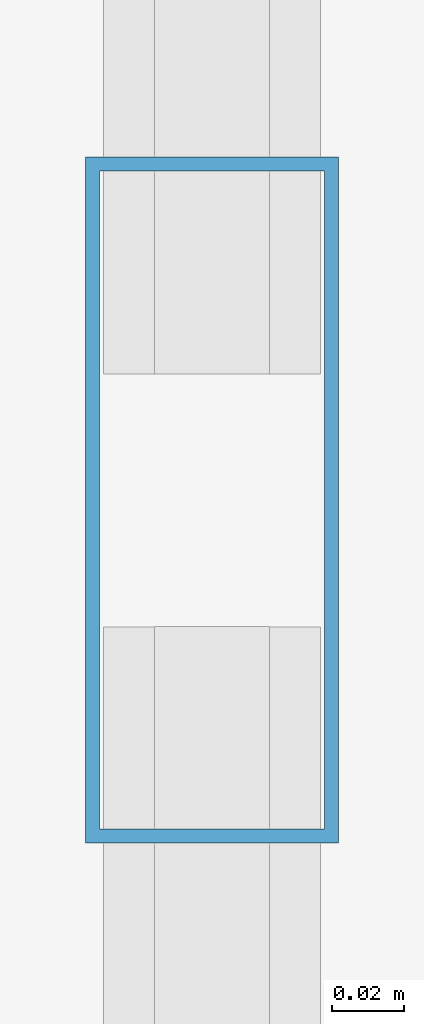
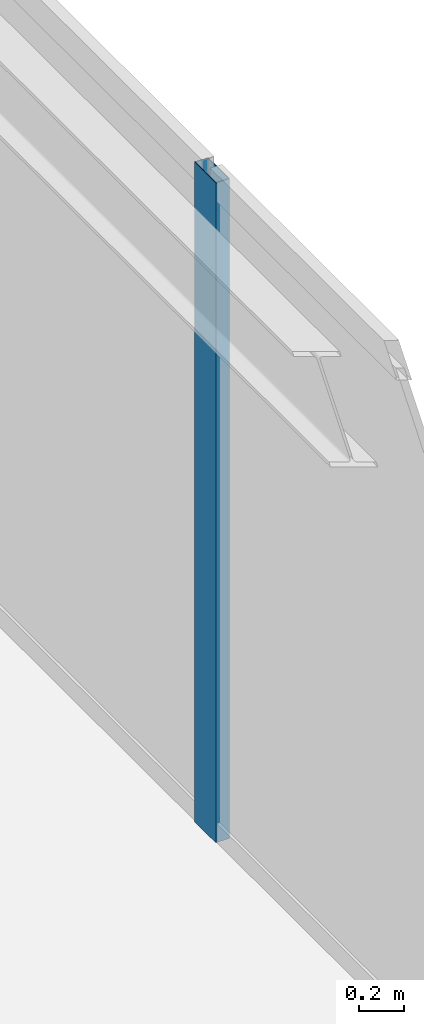
# One storey, part 18 of 30: 1 member, 1 element without a shape of its own.
"""IFC4 building model written with IfcOpenShell, lengths in metres."""

import ifcopenshell
import ifcopenshell.guid

model = None  # the IFC model being written
_history = None  # IfcOwnerHistory: only IFC2X3 demands one
_inside = {}  # id of a spatial element -> (the spatial element, [elements in it])
_under = {}  # id of a project, library or spatial element -> (it, [spatial elements below it])
_declared = {}  # id of a project -> (the project, [libraries it declares])
_typed = {}  # id of a type object -> (the type object, [elements of that type])
_made_of = {}  # id of a material, layer set ... -> (it, [elements and type objects made of it])


def new_model(schema):
    """Start an empty IFC model of exactly this schema.

    Asked for "IFC4X3", IfcOpenShell would pick the latest addendum, in which some entities
    have other attributes; the version numbers below select the first issue.
    IFC2X3 requires an IfcOwnerHistory on every rooted entity: one is made here for all.
    """
    global model, _history
    if schema == "IFC4X3":
        model = ifcopenshell.file(schema_version=(4, 3, 0, 0))
    else:
        model = ifcopenshell.file(schema=schema)
    _inside.clear()
    _under.clear()
    _declared.clear()
    _typed.clear()
    _made_of.clear()
    _history = None
    if model.schema == "IFC2X3":
        org = make("IfcOrganization", Name="unknown")
        user = make(
            "IfcPersonAndOrganization",
            ThePerson=make("IfcPerson", FamilyName="unknown"),
            TheOrganization=org,
        )
        app = make(
            "IfcApplication",
            ApplicationDeveloper=org,
            Version="unknown",
            ApplicationFullName="unknown",
            ApplicationIdentifier="unknown",
        )
        _history = make(
            "IfcOwnerHistory",
            OwningUser=user,
            OwningApplication=app,
            ChangeAction="ADDED",
            CreationDate=0,
        )
    return model


def make(cls, **values):
    """One entity of the class cls with the attributes given. An attribute that is None is left unset."""
    return model.create_entity(
        cls, **{name: value for name, value in values.items() if value is not None}
    )


def rooted(cls, **values):
    """An entity with a GlobalId (a new one), such as an element, a storey or a relation."""
    return make(cls, GlobalId=ifcopenshell.guid.new(), OwnerHistory=_history, **values)


def si_unit(unit_type, name, prefix=None):
    """IfcSIUnit, for example si_unit("LENGTHUNIT", "METRE", prefix="MILLI")."""
    return make("IfcSIUnit", UnitType=unit_type, Prefix=prefix, Name=name)


def assignment(units):
    """IfcUnitAssignment: the units of a project."""
    return None if units is None else make("IfcUnitAssignment", Units=units)


def point(xyz):
    """IfcCartesianPoint."""
    return None if xyz is None else make("IfcCartesianPoint", Coordinates=xyz)


def direction(xyz):
    """IfcDirection."""
    return None if xyz is None else make("IfcDirection", DirectionRatios=xyz)


def frame(location, z_axis=None, x_axis=None):
    """IfcAxis2Placement3D, a coordinate frame: its origin and axes. An axis left out is left unset."""
    return make(
        "IfcAxis2Placement3D",
        Location=point(location),
        Axis=direction(z_axis),
        RefDirection=direction(x_axis),
    )


def frame_2d(location, x_axis=None):
    """IfcAxis2Placement2D, a coordinate frame in the plane: its origin and x axis."""
    return make(
        "IfcAxis2Placement2D", Location=point(location), RefDirection=direction(x_axis)
    )


def origin():
    """The frame at (0, 0, 0) with its axes left unset."""
    return frame((0.0, 0.0, 0.0))


def origin_2d():
    """The frame at (0, 0) in the plane with its x axis left unset."""
    return frame_2d((0.0, 0.0))


def place(relative_to, where):
    """IfcLocalPlacement: puts the frame where relative to a parent placement (None: the world)."""
    return make(
        "IfcLocalPlacement", PlacementRelTo=relative_to, RelativePlacement=where
    )


def context(
    kind, dimensions, precision=None, world=None, true_north=None, identifier=None
):
    """IfcGeometricRepresentationContext, for example the 3D "Model" context."""
    return make(
        "IfcGeometricRepresentationContext",
        ContextIdentifier=identifier,
        ContextType=kind,
        CoordinateSpaceDimension=dimensions,
        Precision=precision,
        WorldCoordinateSystem=world,
        TrueNorth=true_north,
    )


def subcontext(parent, identifier, kind, view, scale=None):
    """IfcGeometricRepresentationSubContext, for example "Body" below "Model"."""
    return make(
        "IfcGeometricRepresentationSubContext",
        ContextIdentifier=identifier,
        ContextType=kind,
        ParentContext=parent,
        TargetScale=scale,
        TargetView=view,
    )


def project(units=None, contexts=None):
    """IfcProject with its units and contexts."""
    return rooted(
        "IfcProject",
        Name="project",
        RepresentationContexts=contexts,
        UnitsInContext=assignment(units),
    )


def spatial(cls, under=None, at=None, **own):
    """A site, building, storey or space (cls), placed at a placement, below another one or the project."""
    s = rooted(cls, ObjectPlacement=at, **own)
    if under is not None:
        _under.setdefault(under.id(), (under, []))[1].append(s)
    return s


def profile(cls, at=None, kind="AREA", **sizes):
    """A parametric profile (cls). Its sizes go by their IFC names, for example OverallWidth=200.0."""
    return make(cls, ProfileType=kind, Position=at, **sizes)


def hollow_rectangle(**sizes):
    """IfcRectangleHollowProfileDef."""
    return profile("IfcRectangleHollowProfileDef", **sizes)


def extrude(swept, where, along, depth):
    """IfcExtrudedAreaSolid: the profile swept, set in the frame where, extruded along a direction by depth."""
    return make(
        "IfcExtrudedAreaSolid",
        SweptArea=swept,
        Position=where,
        ExtrudedDirection=direction(along),
        Depth=depth,
    )


def shape(context_of_items, identifier, shape_type, items):
    """IfcShapeRepresentation: the items that make up one representation, for example the "Body"."""
    return make(
        "IfcShapeRepresentation",
        ContextOfItems=context_of_items,
        RepresentationIdentifier=identifier,
        RepresentationType=shape_type,
        Items=items,
    )


def source(mapping_origin, context_of_items, identifier, shape_type, items):
    """IfcRepresentationMap: a shape defined once, which mapped items show again and again."""
    return make(
        "IfcRepresentationMap",
        MappingOrigin=mapping_origin,
        MappedRepresentation=shape(context_of_items, identifier, shape_type, items),
    )


def transform(
    local_origin,
    x_axis=None,
    y_axis=None,
    z_axis=None,
    scale=None,
    scale2=None,
    scale3=None,
    uniform=True,
):
    """IfcCartesianTransformationOperator3D, or its non-uniform kind. x_axis, y_axis, z_axis: its Axis1, 2, 3."""
    if uniform:
        return make(
            "IfcCartesianTransformationOperator3D",
            Axis1=direction(x_axis),
            Axis2=direction(y_axis),
            LocalOrigin=point(local_origin),
            Scale=scale,
            Axis3=direction(z_axis),
        )
    return make(
        "IfcCartesianTransformationOperator3DnonUniform",
        Axis1=direction(x_axis),
        Axis2=direction(y_axis),
        LocalOrigin=point(local_origin),
        Scale=scale,
        Axis3=direction(z_axis),
        Scale2=scale2,
        Scale3=scale3,
    )


def mapped(mapping_source, mapping_target):
    """IfcMappedItem: shows the shape of a source again, moved by a transform."""
    return make(
        "IfcMappedItem", MappingSource=mapping_source, MappingTarget=mapping_target
    )


def material(Name=None, Category=None):
    """IfcMaterial."""
    return make("IfcMaterial", Name=Name, Category=Category)


def layer(
    of_material, thickness, ventilated=None, Name=None, Category=None, Priority=None
):
    """IfcMaterialLayer: one layer of a wall or slab, of a material (None: an air gap)."""
    return make(
        "IfcMaterialLayer",
        Material=of_material,
        LayerThickness=thickness,
        IsVentilated=ventilated,
        Name=Name,
        Category=Category,
        Priority=Priority,
    )


def layer_set(layers, Name=None):
    """IfcMaterialLayerSet."""
    return make("IfcMaterialLayerSet", MaterialLayers=layers, LayerSetName=Name)


def material_profile(
    of_material, cross_section, Name=None, Category=None, Priority=None
):
    """IfcMaterialProfile: a cross section and its material."""
    return make(
        "IfcMaterialProfile",
        Name=Name,
        Material=of_material,
        Profile=cross_section,
        Priority=Priority,
        Category=Category,
    )


def profile_set(profiles, Name=None, composite=None):
    """IfcMaterialProfileSet."""
    return make(
        "IfcMaterialProfileSet",
        Name=Name,
        MaterialProfiles=profiles,
        CompositeProfile=composite,
    )


def made_of(thing, what):
    """Note that an element or type object is made of a material, layer set ...; save() writes the relation."""
    if what is not None:
        _made_of.setdefault(what.id(), (what, []))[1].append(thing)
    return thing


def type_object(cls, material=None, **own):
    """A type object (cls), such as IfcWallType, which elements share."""
    return made_of(rooted(cls, **own), material)


def type_shapes(of_type, sources):
    """Give a type object the sources (RepresentationMaps) that its elements show as mapped items."""
    of_type.RepresentationMaps = sources


def element(
    cls,
    number,
    at=None,
    inside=None,
    cuts=None,
    type_object=None,
    material=None,
    context=None,
    identifier="Body",
    shape_type=None,
    held_by="IfcProductDefinitionShape",
    body=None,
    shapes=None,
    **own,
):
    """One element of the class cls, such as IfcWall. Its Tag is "e" and its number.

    at: its placement. inside: the storey or other place that contains it. cuts: it is an
    opening in that element (IfcRelVoidsElement). A single representation is given by context,
    identifier, shape_type and body (its items); several are given by shapes. held_by: the class
    of the entity that holds the representations. save() writes the other relations.
    """
    e = rooted(cls, Tag="e%d" % number, ObjectPlacement=at, **own)
    if body is not None:
        shapes = [shape(context, identifier, shape_type, body)]
    if shapes is not None:
        e.Representation = make(held_by, Representations=shapes)
    if inside is not None:
        _inside.setdefault(inside.id(), (inside, []))[1].append(e)
    if cuts is not None:
        rooted(
            "IfcRelVoidsElement", RelatingBuildingElement=cuts, RelatedOpeningElement=e
        )
    if type_object is not None:
        _typed.setdefault(type_object.id(), (type_object, []))[1].append(e)
    return made_of(e, material)


def aggregate(whole, parts):
    """IfcRelAggregates: a whole, such as a stair, and the parts it consists of."""
    return rooted("IfcRelAggregates", RelatingObject=whole, RelatedObjects=parts)


def save(model, path):
    """Write the relations noted so far, then the file.

    IfcRelAggregates (storeys below a building ...), IfcRelContainedInSpatialStructure (elements
    in a storey), IfcRelDefinesByType, IfcRelAssociatesMaterial and IfcRelDeclares: one each for
    every whole, place, type object, material and project.
    """
    for whole, parts in _under.values():
        aggregate(whole, parts)
    for where, things in _inside.values():
        rooted(
            "IfcRelContainedInSpatialStructure",
            RelatedElements=things,
            RelatingStructure=where,
        )
    for kind, things in _typed.values():
        rooted("IfcRelDefinesByType", RelatedObjects=things, RelatingType=kind)
    for what, things in _made_of.values():
        rooted("IfcRelAssociatesMaterial", RelatedObjects=things, RelatingMaterial=what)
    for by, libraries in _declared.values():
        rooted("IfcRelDeclares", RelatingContext=by, RelatedDefinitions=libraries)
    model.write(path)


model = new_model("IFC4")

# Units and contexts
model_context = context("Model", 3, precision=1e-05, world=origin(), true_north=direction((0.0, 1.0)))
body_context = subcontext(model_context, "Body", "Model", "MODEL_VIEW")
ifc_project = project(units=[si_unit("LENGTHUNIT", "METRE"), si_unit("AREAUNIT", "SQUARE_METRE"), si_unit("VOLUMEUNIT", "CUBIC_METRE"), si_unit("PLANEANGLEUNIT", "RADIAN"), si_unit("MASSUNIT", "GRAM", prefix="KILO")], contexts=[model_context])

# Site, building, storey
site_placement = place(None, origin())
site = spatial("IfcSite", under=ifc_project, at=site_placement, CompositionType="ELEMENT")
building_placement = place(site_placement, origin())
building = spatial("IfcBuilding", under=site, at=building_placement, Name="Varnel Quay Broadcast Tower", CompositionType="ELEMENT")
storey_placement = place(building_placement, frame((0.0, 0.0, 122.0)))
storey = spatial("IfcBuildingStorey", under=building, at=storey_placement, Name="L29", CompositionType="ELEMENT", Elevation=122.0)

# Curtain wall, member
ifc_material = material(Name="Anodised Bronze Aluminium 6063-T6", Category="aluminium")
ifc_layer = layer(ifc_material, 0.18994140625, Name="Anodised Bronze Aluminium 6063-T6")
ifc_layer_set = layer_set([ifc_layer], Name="Anodised Bronze Aluminium 6063-T6")
curtain_wall_type = type_object("IfcCurtainWallType", Name="CW_LowerTower", PredefinedType="NOTDEFINED", material=ifc_layer_set)
curtain_wall_placement = place(storey_placement, origin())
curtain_wall = element("IfcCurtainWall", 1, at=curtain_wall_placement, inside=storey, type_object=curtain_wall_type, Name="L29 East Unitised Curtain Wall", PredefinedType="NOTDEFINED")
ifc_material_profile = material_profile(ifc_material, hollow_rectangle(XDim=0.070068359375, YDim=0.18994140625, WallThickness=0.00390625, at=origin_2d()), Name="ALU70X190X4")
ifc_profile_set = profile_set([ifc_material_profile], Name="Anodised Bronze Aluminium 6063-T6")
member_type = type_object("IfcMemberType", Name="Mull_CWS-02", PredefinedType="MULLION", material=ifc_profile_set)
shared_shape = source(origin(), body_context, "Body", "SweptSolid", [
    extrude(hollow_rectangle(XDim=0.070068359375, YDim=0.18994140625, WallThickness=0.00390625, at=origin_2d()), origin(), (0.0, 0.0, 1.0), 3.550048828125),
])
type_shapes(member_type, [shared_shape])
member_placement = place(storey_placement, frame((63.35009765625, 19.60009765625, 0.0), z_axis=(0.0, 0.0, 1.0), x_axis=(-1.0, 0.0, 0.0)))
member = element("IfcMember", 2, at=member_placement, type_object=member_type, Name="CWS-02 mullion 2", PredefinedType="MULLION", context=body_context, shape_type="MappedRepresentation", body=[
    mapped(shared_shape, transform((0.0, 0.0, 0.0), x_axis=(1.0, 0.0, 0.0), y_axis=(0.0, 1.0, 0.0), z_axis=(0.0, 0.0, 1.0), scale=1.0)),
])
aggregate(curtain_wall, [member])

save(model, "model.ifc")
